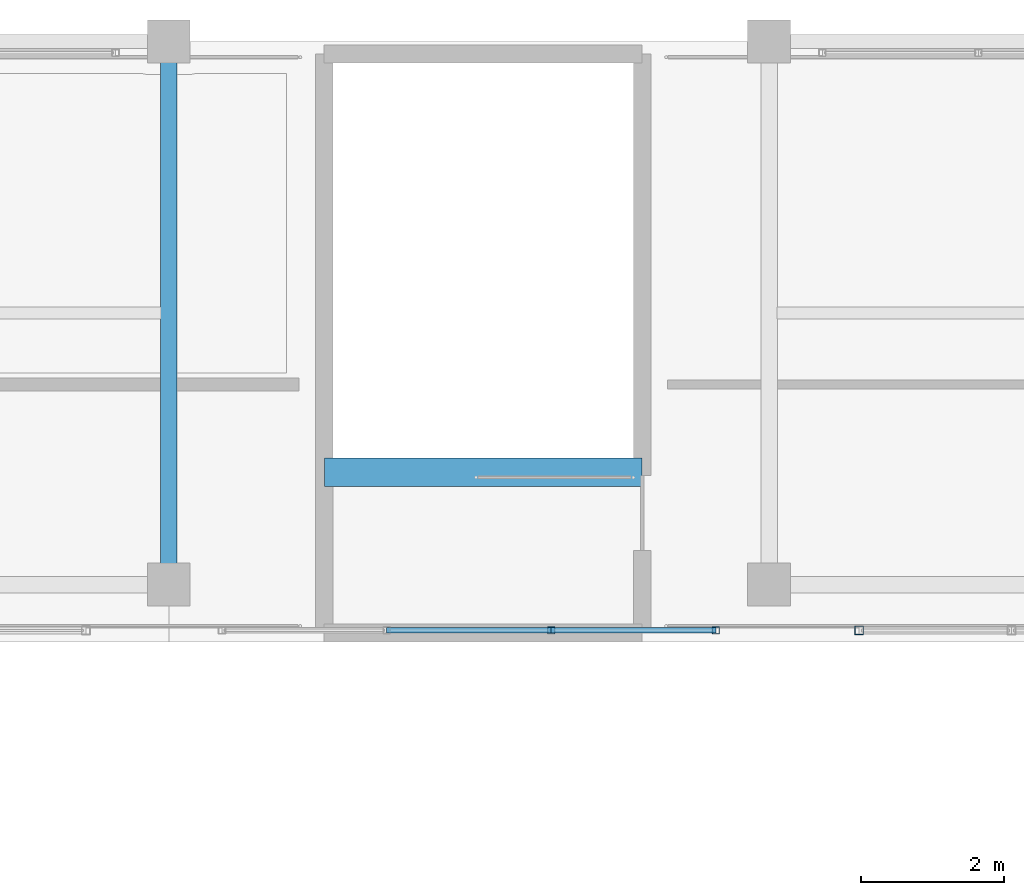
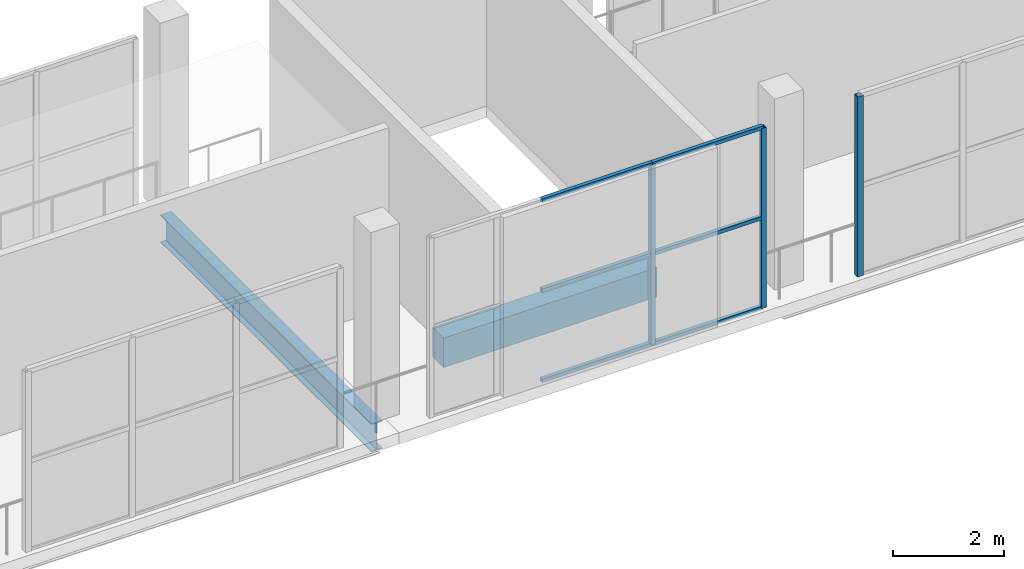
# One storey, part 71 of 151: 9 members, 2 beams, 2 elements without a shape of their own.
"""IFC4 building model written with IfcOpenShell, lengths in metres."""

from ifc_helpers import new_model, si_unit, direction, frame, origin, origin_2d, place, context, subcontext, project, spatial, rectangle, hollow_rectangle, i_section, extrude, material, material_profile, profile_set, type_object, element, aggregate, save


model = new_model("IFC4")

# Units and contexts
model_context = context("Model", 3, precision=1e-05, world=origin(), true_north=direction((0.0, 1.0)))
body_context = subcontext(model_context, "Body", "Model", "MODEL_VIEW")
ifc_project = project(units=[si_unit("LENGTHUNIT", "METRE"), si_unit("AREAUNIT", "SQUARE_METRE"), si_unit("VOLUMEUNIT", "CUBIC_METRE"), si_unit("PLANEANGLEUNIT", "RADIAN"), si_unit("MASSUNIT", "GRAM", prefix="KILO")], contexts=[model_context])

# Site, building, storey
site_placement = place(None, origin())
site = spatial("IfcSite", under=ifc_project, at=site_placement, CompositionType="ELEMENT")
building_placement = place(site_placement, origin())
building = spatial("IfcBuilding", under=site, at=building_placement, Name="Zuvorla Pavilion Media Centre", CompositionType="ELEMENT")
storey_placement = place(building_placement, frame((0.0, 0.0, 13.800048828125)))
storey = spatial("IfcBuildingStorey", under=building, at=storey_placement, Name="L03", CompositionType="ELEMENT", Elevation=13.800048828125)

# Beams
ifc_material_1 = material(Name="Concrete C40/50", Category="concrete")
ifc_material_profile_1 = material_profile(ifc_material_1, rectangle(XDim=0.39990234375, YDim=0.64990234375, at=origin_2d()), Name="RC 400x650")
ifc_profile_set_1 = profile_set([ifc_material_profile_1], Name="Concrete C40/50")
beam_type_1 = type_object("IfcBeamType", Name="BM-RC-650", PredefinedType="BEAM", material=ifc_profile_set_1)
beam_1_placement = place(storey_placement, frame((94.179931640625, 83.570068359375, -0.323974609375), z_axis=(1.0, 0.0, 0.0), x_axis=(0.0, 1.0, 0.0)))
element("IfcBeam", 1, at=beam_1_placement, inside=storey, type_object=beam_type_1, Name="L03 ST-05 arrival trimmer beam", PredefinedType="BEAM", context=body_context, shape_type="SweptSolid", body=[
    extrude(rectangle(XDim=0.39990234375, YDim=0.64990234375, at=origin_2d()), origin(), (0.0, 0.0, 1.0), 4.440185546875),
])
ifc_material_2 = material(Name="Steel S355", Category="steel")
ifc_material_profile_2 = material_profile(ifc_material_2, i_section(OverallWidth=0.22900390625, OverallDepth=0.6123046875, WebThickness=0.011962890625, FlangeThickness=0.01953125, FilletRadius=0.0126953125, at=origin_2d()), Name="UB 610x229x125")
ifc_profile_set_2 = profile_set([ifc_material_profile_2], Name="Steel S355")
beam_type_2 = type_object("IfcBeamType", Name="BM-UB610", PredefinedType="BEAM", material=ifc_profile_set_2)
beam_2_placement = place(storey_placement, frame((92.0, 82.0, -0.564208984375), z_axis=(0.0, 1.0, 0.0), x_axis=(-1.0, 0.0, 0.0)))
element("IfcBeam", 2, at=beam_2_placement, inside=storey, type_object=beam_type_2, Name="L03 beam B07 1199", PredefinedType="BEAM", context=body_context, shape_type="SweptSolid", body=[
    extrude(i_section(OverallWidth=0.22900390625, OverallDepth=0.6123046875, WebThickness=0.011962890625, FlangeThickness=0.01953125, FilletRadius=0.0126953125, at=origin_2d()), origin(), (0.0, 0.0, 1.0), 7.60009765625),
])

# Curtain wall, members
ifc_material_3 = material(Name="Unitised anodised aluminium and solar glass curtain wall", Category="aluminium")
curtain_wall_type_1 = type_object("IfcCurtainWallType", Name="CW-SYS-70", PredefinedType="USERDEFINED", material=ifc_material_3)
curtain_wall_1_placement = place(storey_placement, origin())
curtain_wall_1 = element("IfcCurtainWall", 3, at=curtain_wall_1_placement, inside=storey, type_object=curtain_wall_type_1, Name="L03 curtain wall CW70 169", ObjectType="CURTAIN WALL", PredefinedType="USERDEFINED")
ifc_material_4 = material(Name="Anodised aluminium 6063-T6", Category="aluminium")
ifc_material_profile_3 = material_profile(ifc_material_4, hollow_rectangle(XDim=0.10009765625, YDim=0.10009765625, WallThickness=0.00439453125, at=origin_2d()), Name="ALU MULL 100x100")
ifc_profile_set_3 = profile_set([ifc_material_profile_3], Name="Anodised aluminium 6063-T6")
member_type_1 = type_object("IfcMemberType", Name="CW-MULL-100", PredefinedType="MULLION", material=ifc_profile_set_3)
member_1_placement = place(storey_placement, frame((99.65576171875, 81.360107421875, 0.0), z_axis=(0.0, 0.0, 1.0), x_axis=(1.0, 0.0, 0.0)))
member_1 = element("IfcMember", 4, at=member_1_placement, type_object=member_type_1, Name="CW70 mullion 1", PredefinedType="MULLION", context=body_context, shape_type="SweptSolid", body=[
    extrude(hollow_rectangle(XDim=0.10009765625, YDim=0.10009765625, WallThickness=0.00439453125, at=origin_2d()), origin(), (0.0, 0.0, 1.0), 3.9599609375),
])
member_2_placement = place(storey_placement, frame((97.351806640625, 81.360107421875, 0.0), z_axis=(0.0, 0.0, 1.0), x_axis=(1.0, 0.0, 0.0)))
member_2 = element("IfcMember", 5, at=member_2_placement, type_object=member_type_1, Name="CW70 mullion 2", PredefinedType="MULLION", context=body_context, shape_type="SweptSolid", body=[
    extrude(hollow_rectangle(XDim=0.10009765625, YDim=0.10009765625, WallThickness=0.00439453125, at=origin_2d()), origin(), (0.0, 0.0, 1.0), 3.9599609375),
])

# Curtain wall, member
curtain_wall_type_2 = type_object("IfcCurtainWallType", Name="CW-SYS-45", PredefinedType="USERDEFINED", material=ifc_material_3)
curtain_wall_2_placement = place(storey_placement, origin())
curtain_wall_2 = element("IfcCurtainWall", 6, at=curtain_wall_2_placement, inside=storey, type_object=curtain_wall_type_2, Name="L03 curtain wall CW45 173", ObjectType="CURTAIN WALL", PredefinedType="USERDEFINED")
ifc_material_profile_4 = material_profile(ifc_material_4, hollow_rectangle(XDim=0.1201171875, YDim=0.1201171875, WallThickness=0.0048828125, at=origin_2d()), Name="ALU MULL 120x120")
ifc_profile_set_4 = profile_set([ifc_material_profile_4], Name="Anodised aluminium 6063-T6")
member_type_2 = type_object("IfcMemberType", Name="CW-MULL-120", PredefinedType="MULLION", material=ifc_profile_set_4)
member_3_placement = place(storey_placement, frame((101.659912109375, 81.360107421875, 0.0), z_axis=(0.0, 0.0, 1.0), x_axis=(1.0, 0.0, 0.0)))
member_3 = element("IfcMember", 7, at=member_3_placement, type_object=member_type_2, Name="CW45 mullion 4", PredefinedType="MULLION", context=body_context, shape_type="SweptSolid", body=[
    extrude(hollow_rectangle(XDim=0.1201171875, YDim=0.1201171875, WallThickness=0.0048828125, at=origin_2d()), origin(), (0.0, 0.0, 1.0), 3.9599609375),
])
aggregate(curtain_wall_2, [member_3])

# Member
ifc_material_profile_5 = material_profile(ifc_material_4, hollow_rectangle(XDim=0.080078125, YDim=0.080078125, WallThickness=0.00390625, at=origin_2d()), Name="ALU TRAN 80x80")
ifc_profile_set_5 = profile_set([ifc_material_profile_5], Name="Anodised aluminium 6063-T6")
member_type_3 = type_object("IfcMemberType", Name="CW-TRAN-80", PredefinedType="USERDEFINED", material=ifc_profile_set_5)
member_4_placement = place(storey_placement, frame((99.65576171875, 81.360107421875, 0.0), z_axis=(-1.0, 0.0, 0.0), x_axis=(0.0, -1.0, 0.0)))
member_4 = element("IfcMember", 8, at=member_4_placement, type_object=member_type_3, Name="CW70 transom 1.1", ObjectType="TRANSOM", PredefinedType="USERDEFINED", context=body_context, shape_type="SweptSolid", body=[
    extrude(hollow_rectangle(XDim=0.080078125, YDim=0.080078125, WallThickness=0.00390625, at=origin_2d()), origin(), (0.0, 0.0, 1.0), 2.303955078125),
])

member_5_placement = place(storey_placement, frame((99.65576171875, 81.360107421875, 1.97998046875), z_axis=(-1.0, 0.0, 0.0), x_axis=(0.0, -1.0, 0.0)))
member_5 = element("IfcMember", 9, at=member_5_placement, type_object=member_type_3, Name="CW70 transom 1.2", ObjectType="TRANSOM", PredefinedType="USERDEFINED", context=body_context, shape_type="SweptSolid", body=[
    extrude(hollow_rectangle(XDim=0.080078125, YDim=0.080078125, WallThickness=0.00390625, at=origin_2d()), origin(), (0.0, 0.0, 1.0), 2.303955078125),
])

member_6_placement = place(storey_placement, frame((99.65576171875, 81.360107421875, 3.9599609375), z_axis=(-1.0, 0.0, 0.0), x_axis=(0.0, -1.0, 0.0)))
member_6 = element("IfcMember", 10, at=member_6_placement, type_object=member_type_3, Name="CW70 transom 1.3", ObjectType="TRANSOM", PredefinedType="USERDEFINED", context=body_context, shape_type="SweptSolid", body=[
    extrude(hollow_rectangle(XDim=0.080078125, YDim=0.080078125, WallThickness=0.00390625, at=origin_2d()), origin(), (0.0, 0.0, 1.0), 2.303955078125),
])

member_7_placement = place(storey_placement, frame((97.351806640625, 81.360107421875, 0.0), z_axis=(-1.0, 0.0, 0.0), x_axis=(0.0, -1.0, 0.0)))
member_7 = element("IfcMember", 11, at=member_7_placement, type_object=member_type_3, Name="CW70 transom 2.1", ObjectType="TRANSOM", PredefinedType="USERDEFINED", context=body_context, shape_type="SweptSolid", body=[
    extrude(hollow_rectangle(XDim=0.080078125, YDim=0.080078125, WallThickness=0.00390625, at=origin_2d()), origin(), (0.0, 0.0, 1.0), 2.3037109375),
])

member_8_placement = place(storey_placement, frame((97.351806640625, 81.360107421875, 1.97998046875), z_axis=(-1.0, 0.0, 0.0), x_axis=(0.0, -1.0, 0.0)))
member_8 = element("IfcMember", 12, at=member_8_placement, type_object=member_type_3, Name="CW70 transom 2.2", ObjectType="TRANSOM", PredefinedType="USERDEFINED", context=body_context, shape_type="SweptSolid", body=[
    extrude(hollow_rectangle(XDim=0.080078125, YDim=0.080078125, WallThickness=0.00390625, at=origin_2d()), origin(), (0.0, 0.0, 1.0), 2.3037109375),
])

member_9_placement = place(storey_placement, frame((97.351806640625, 81.360107421875, 3.9599609375), z_axis=(-1.0, 0.0, 0.0), x_axis=(0.0, -1.0, 0.0)))
member_9 = element("IfcMember", 13, at=member_9_placement, type_object=member_type_3, Name="CW70 transom 2.3", ObjectType="TRANSOM", PredefinedType="USERDEFINED", context=body_context, shape_type="SweptSolid", body=[
    extrude(hollow_rectangle(XDim=0.080078125, YDim=0.080078125, WallThickness=0.00390625, at=origin_2d()), origin(), (0.0, 0.0, 1.0), 2.3037109375),
])

aggregate(curtain_wall_1, [member_1, member_2, member_4, member_5, member_6, member_7, member_8, member_9])

save(model, "model.ifc")
